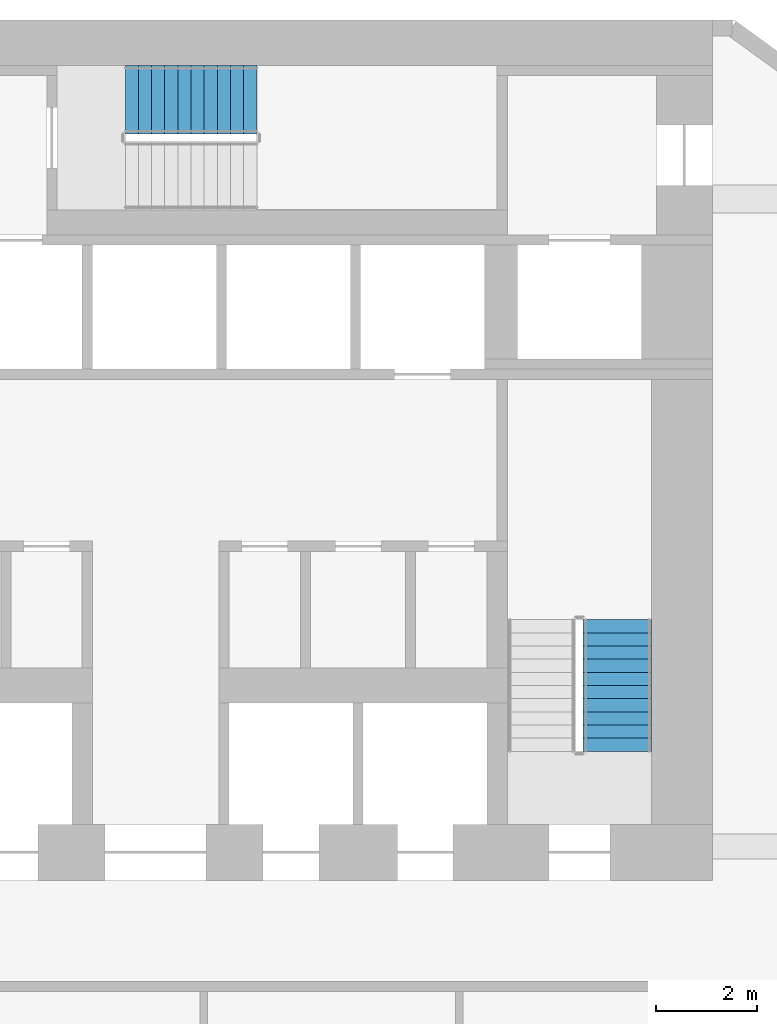
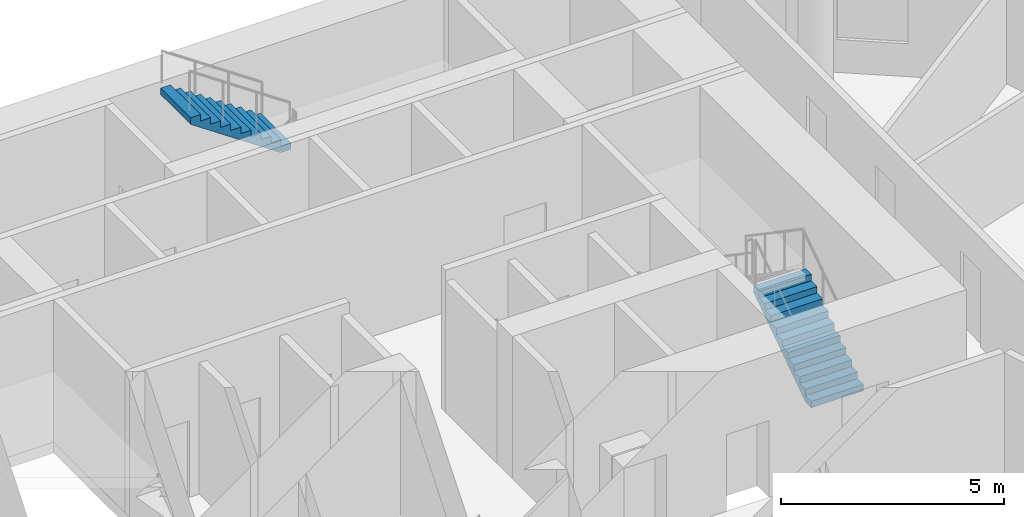
# One storey, part 7 of 9: 2 stair flights, 2 elements without a shape of their own.
"""IFC4 building model written with IfcOpenShell, lengths in metres."""

from ifc_helpers import new_model, si_unit, direction, frame, origin, place, context, subcontext, project, spatial, polyline, outline, extrude, material, layer, layer_set, type_object, element, aggregate, save


model = new_model("IFC4")

# Units and contexts
model_context = context("Model", 3, precision=1e-05, world=origin(), true_north=direction((0.0, 1.0)))
body_context = subcontext(model_context, "Body", "Model", "MODEL_VIEW")
ifc_project = project(units=[si_unit("LENGTHUNIT", "METRE"), si_unit("AREAUNIT", "SQUARE_METRE"), si_unit("VOLUMEUNIT", "CUBIC_METRE"), si_unit("PLANEANGLEUNIT", "RADIAN"), si_unit("MASSUNIT", "GRAM", prefix="KILO")], contexts=[model_context])

# Site, building, storey
site_placement = place(None, origin())
site = spatial("IfcSite", under=ifc_project, at=site_placement, CompositionType="ELEMENT")
building_placement = place(site_placement, origin())
building = spatial("IfcBuilding", under=site, at=building_placement, Name="White Candle Pilgrim Tower", CompositionType="ELEMENT")
storey_placement = place(building_placement, frame((0.0, 0.0, 133.699951171875)))
storey = spatial("IfcBuildingStorey", under=building, at=storey_placement, Name="L30", CompositionType="ELEMENT", Elevation=133.699951171875)

# Stair, stair flight
ifc_material = material(Name="Concrete C40/50", Category="concrete")
stair_type_1 = type_object("IfcStairType", Name="Exit stair 2 flight width 1350 mm", PredefinedType="HALF_TURN_STAIR", material=ifc_material)
stair_1_placement = place(storey_placement, origin())
stair_1 = element("IfcStair", 1, at=stair_1_placement, inside=storey, type_object=stair_type_1, Name="L30 stair 2", PredefinedType="NOTDEFINED")
ifc_layer = layer(ifc_material, 0.14990234375)
ifc_layer_set = layer_set([ifc_layer], Name="Stair flight Concrete C40/50")
stair_flight_type = type_object("IfcStairFlightType", Name="Stair flight Concrete C40/50", PredefinedType="STRAIGHT", material=ifc_layer_set)
stair_flight_1_placement = place(storey_placement, frame((79.125, 73.550048828125, 0.0), z_axis=(0.0, 0.0, 1.0), x_axis=(0.0, 1.0, 0.0)))
stair_flight_1 = element("IfcStairFlight", 2, at=stair_flight_1_placement, type_object=stair_flight_type, Name="ST2 flight 1", NumberOfRisers=11, NumberOfTreads=10, PredefinedType="NOTDEFINED", RiserHeight=0.177272727, TreadLength=0.26, context=body_context, shape_type="SweptSolid", body=[
    extrude(outline(polyline([(0.0, 0.0), (0.0, 0.17724609375), (0.260009765625, 0.17724609375), (0.260009765625, 0.3544921875), (0.52001953125, 0.3544921875), (0.52001953125, 0.53173828125), (0.780029296875, 0.53173828125), (0.780029296875, 0.708984375), (1.0400390625, 0.708984375), (1.0400390625, 0.886474609375), (1.300048828125, 0.886474609375), (1.300048828125, 1.063720703125), (1.56005859375, 1.063720703125), (1.56005859375, 1.240966796875), (1.820068359375, 1.240966796875), (1.820068359375, 1.418212890625), (2.080078125, 1.418212890625), (2.080078125, 1.595458984375), (2.340087890625, 1.595458984375), (2.340087890625, 1.772705078125), (2.60009765625, 1.772705078125), (2.60009765625, 1.949951171875), (2.60009765625, 1.59130859375), (0.26611328125, 0.0), (0.0, 0.0)])), frame((0.0, 0.675048828125, 0.0), z_axis=(0.0, -1.0, 0.0), x_axis=(1.0, 0.0, 0.0)), (0.0, 0.0, 1.0), 1.35009765625),
])
aggregate(stair_1, [stair_flight_1])

stair_type_2 = type_object("IfcStairType", Name="Exit stair 3 flight width 1350 mm", PredefinedType="HALF_TURN_STAIR", material=ifc_material)
stair_2_placement = place(storey_placement, origin())
stair_2 = element("IfcStair", 3, at=stair_2_placement, inside=storey, type_object=stair_type_2, Name="L30 stair 3", PredefinedType="NOTDEFINED")
stair_flight_2_placement = place(storey_placement, frame((72.0, 86.425048828125, 1.949951171875), z_axis=(0.0, 0.0, 1.0), x_axis=(-1.0, 0.0, 0.0)))
stair_flight_2 = element("IfcStairFlight", 4, at=stair_flight_2_placement, type_object=stair_flight_type, Name="ST3 flight 2", NumberOfRisers=11, NumberOfTreads=10, PredefinedType="NOTDEFINED", RiserHeight=0.177272727, TreadLength=0.26, context=body_context, shape_type="SweptSolid", body=[
    extrude(outline(polyline([(0.0, 0.0), (0.0, 0.17724609375), (0.260009765625, 0.17724609375), (0.260009765625, 0.3544921875), (0.52001953125, 0.3544921875), (0.52001953125, 0.53173828125), (0.780029296875, 0.53173828125), (0.780029296875, 0.708984375), (1.0400390625, 0.708984375), (1.0400390625, 0.886474609375), (1.300048828125, 0.886474609375), (1.300048828125, 1.063720703125), (1.56005859375, 1.063720703125), (1.56005859375, 1.240966796875), (1.820068359375, 1.240966796875), (1.820068359375, 1.418212890625), (2.080078125, 1.418212890625), (2.080078125, 1.595458984375), (2.340087890625, 1.595458984375), (2.340087890625, 1.772705078125), (2.60009765625, 1.772705078125), (2.60009765625, 1.949951171875), (2.60009765625, 1.59130859375), (0.26611328125, 0.0), (0.0, 0.0)])), frame((0.0, 0.675048828125, 0.0), z_axis=(0.0, -1.0, 0.0), x_axis=(1.0, 0.0, 0.0)), (0.0, 0.0, 1.0), 1.35009765625),
])
aggregate(stair_2, [stair_flight_2])

save(model, "model.ifc")
